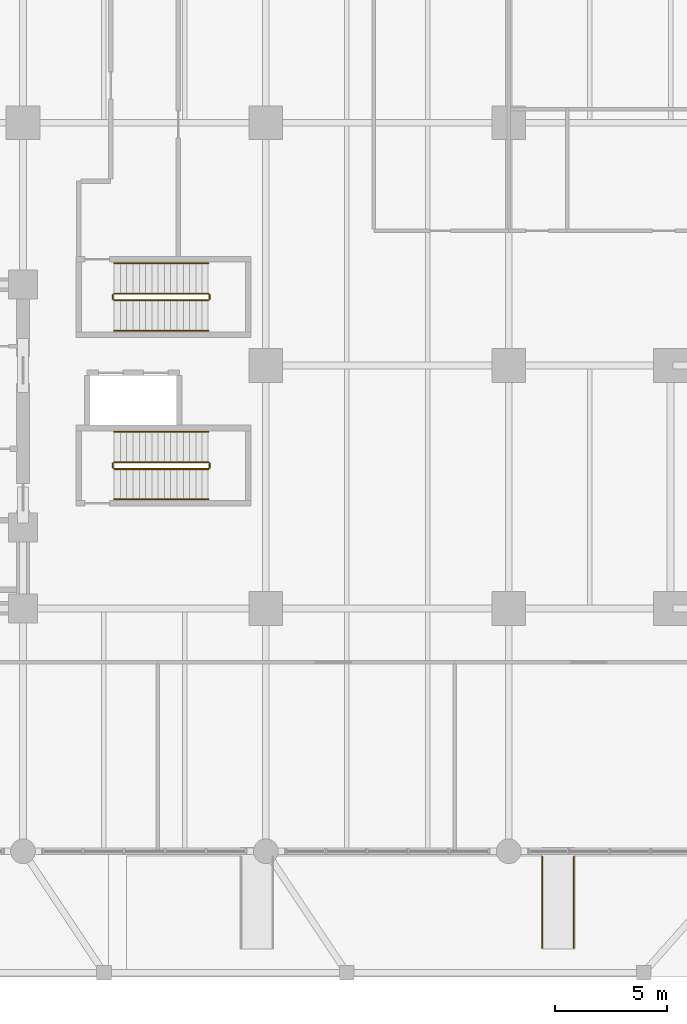
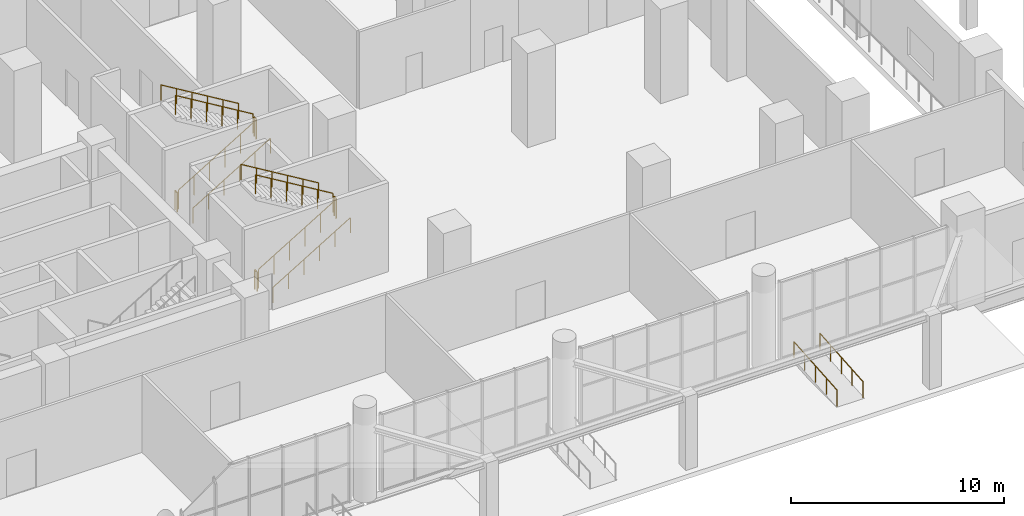
# One storey, part 20 of 22: 14 railings.
"""IFC4 building model written with IfcOpenShell, lengths in metres."""

from ifc_helpers import new_model, si_unit, direction, frame, origin, origin_2d, place, context, subcontext, project, spatial, circle, extrude, material, type_object, element, save


model = new_model("IFC4")

# Units and contexts
model_context = context("Model", 3, precision=1e-05, world=origin(), true_north=direction((0.0, 1.0)))
body_context = subcontext(model_context, "Body", "Model", "MODEL_VIEW")
ifc_project = project(units=[si_unit("LENGTHUNIT", "METRE"), si_unit("AREAUNIT", "SQUARE_METRE"), si_unit("VOLUMEUNIT", "CUBIC_METRE"), si_unit("PLANEANGLEUNIT", "RADIAN"), si_unit("MASSUNIT", "GRAM", prefix="KILO")], contexts=[model_context])

# Site, building, storey
site_placement = place(None, origin())
site = spatial("IfcSite", under=ifc_project, at=site_placement, CompositionType="ELEMENT")
building_placement = place(site_placement, origin())
building = spatial("IfcBuilding", under=site, at=building_placement, Name="Solnavia Interchange Tower", CompositionType="ELEMENT")
storey_placement = place(building_placement, origin())
storey = spatial("IfcBuildingStorey", under=building, at=storey_placement, Name="L00", CompositionType="ELEMENT", Elevation=0.0)

# Railings
ifc_material_1 = material(Name="Brushed Stainless Steel", Category="steel")
railing_type_1 = type_object("IfcRailingType", Name="Railing-RampHandrail-950", PredefinedType="HANDRAIL", material=ifc_material_1)
for number, where, name in (
    (1, (55.5, -4.300048828125, -0.340087890625), "HRL-RMP-L00-A5-L Accessible ramp handrail"),
    (2, (56.89990234375, -4.300048828125, -0.340087890625), "HRL-RMP-L00-A5-R Accessible ramp handrail"),
):
    element("IfcRailing", number, at=place(storey_placement, frame(where)), inside=storey, type_object=railing_type_1, Name=name, PredefinedType="HANDRAIL", context=body_context, shape_type="SweptSolid", body=[
        extrude(circle(Radius=0.02392578125, at=origin_2d()), frame((0.0, 0.0, 0.92578125), z_axis=(0.0, 0.996891817618, 0.078782637464), x_axis=(-1.0, 0.0, 0.0)), (0.0, 0.0, 1.0), 4.062744140625),
        extrude(circle(Radius=0.02099609375, at=origin_2d()), origin(), (0.0, 0.0, 1.0), 0.90185546875),
        extrude(circle(Radius=0.02099609375, at=origin_2d()), frame((0.0, 1.012451171875, 0.080078125)), (0.0, 0.0, 1.0), 0.90185546875),
        extrude(circle(Radius=0.02099609375, at=origin_2d()), frame((0.0, 2.02490234375, 0.16015625)), (0.0, 0.0, 1.0), 0.90185546875),
        extrude(circle(Radius=0.02099609375, at=origin_2d()), frame((0.0, 3.03759765625, 0.239990234375)), (0.0, 0.0, 1.0), 0.90185546875),
        extrude(circle(Radius=0.02099609375, at=origin_2d()), frame((0.0, 4.050048828125, 0.320068359375)), (0.0, 0.0, 1.0), 0.90185546875),
    ])
ifc_material_2 = material(Name="Painted Steel Balustrade", Category="steel")
railing_type_2 = type_object("IfcRailingType", Name="Railing-StairGuard-1100", PredefinedType="GUARDRAIL", material=ifc_material_2)
railing_1_placement = place(storey_placement, frame((36.449951171875, 17.0, 0.168701171875)))
element("IfcRailing", 3, at=railing_1_placement, inside=storey, type_object=railing_type_2, Name="L00 ST-P1 stair guard 1", PredefinedType="GUARDRAIL", context=body_context, shape_type="SweptSolid", body=[
    extrude(circle(Radius=0.02392578125, at=origin_2d()), frame((0.0, 0.0, 1.09619140625), z_axis=(0.856476492594, 0.0, 0.516186030065), x_axis=(0.0, 1.0, 0.0)), (0.0, 0.0, 1.0), 4.90380859375),
    extrude(circle(Radius=0.02099609375, at=origin_2d()), origin(), (0.0, 0.0, 1.0), 1.072021484375),
    extrude(circle(Radius=0.02099609375, at=origin_2d()), frame((0.840087890625, 0.0, 0.50634765625)), (0.0, 0.0, 1.0), 1.072021484375),
    extrude(circle(Radius=0.02099609375, at=origin_2d()), frame((1.679931640625, 0.0, 1.012451171875)), (0.0, 0.0, 1.0), 1.072021484375),
    extrude(circle(Radius=0.02099609375, at=origin_2d()), frame((2.52001953125, 0.0, 1.518798828125)), (0.0, 0.0, 1.0), 1.072021484375),
    extrude(circle(Radius=0.02099609375, at=origin_2d()), frame((3.35986328125, 0.0, 2.02490234375)), (0.0, 0.0, 1.0), 1.072021484375),
    extrude(circle(Radius=0.02099609375, at=origin_2d()), frame((4.199951171875, 0.0, 2.53125)), (0.0, 0.0, 1.0), 1.072021484375),
])
railing_2_placement = place(storey_placement, frame((40.699951171875, 17.050048828125, 2.699951171875)))
element("IfcRailing", 4, at=railing_2_placement, inside=storey, type_object=railing_type_2, Name="L00 ST-P1 stair guard 2", PredefinedType="GUARDRAIL", context=body_context, shape_type="SweptSolid", body=[
    extrude(circle(Radius=0.02392578125, at=origin_2d()), frame((0.0, 0.0, 1.09619140625), z_axis=(0.0, 1.0, 0.0), x_axis=(-1.0, 0.0, 0.0)), (0.0, 0.0, 1.0), 0.199951171875),
    extrude(circle(Radius=0.02099609375, at=origin_2d()), origin(), (0.0, 0.0, 1.0), 1.072021484375),
    extrude(circle(Radius=0.02099609375, at=origin_2d()), frame((0.0, 0.199951171875, 0.0)), (0.0, 0.0, 1.0), 1.072021484375),
])
railing_3_placement = place(storey_placement, frame((40.64990234375, 17.300048828125, 2.86865234375)))
element("IfcRailing", 5, at=railing_3_placement, inside=storey, type_object=railing_type_2, Name="L00 ST-P1 stair guard 3", PredefinedType="GUARDRAIL", context=body_context, shape_type="SweptSolid", body=[
    extrude(circle(Radius=0.02392578125, at=origin_2d()), frame((0.0, 0.0, 1.09619140625), z_axis=(-0.856476492594, 0.0, 0.516186030065), x_axis=(0.0, -1.0, 0.0)), (0.0, 0.0, 1.0), 4.90380859375),
    extrude(circle(Radius=0.02099609375, at=origin_2d()), origin(), (0.0, 0.0, 1.0), 1.072021484375),
    extrude(circle(Radius=0.02099609375, at=origin_2d()), frame((-0.840087890625, 0.0, 0.50634765625)), (0.0, 0.0, 1.0), 1.072021484375),
    extrude(circle(Radius=0.02099609375, at=origin_2d()), frame((-1.679931640625, 0.0, 1.012451171875)), (0.0, 0.0, 1.0), 1.072021484375),
    extrude(circle(Radius=0.02099609375, at=origin_2d()), frame((-2.52001953125, 0.0, 1.518798828125)), (0.0, 0.0, 1.0), 1.072021484375),
    extrude(circle(Radius=0.02099609375, at=origin_2d()), frame((-3.35986328125, 0.0, 2.02490234375)), (0.0, 0.0, 1.0), 1.072021484375),
    extrude(circle(Radius=0.02099609375, at=origin_2d()), frame((-4.199951171875, 0.0, 2.53125)), (0.0, 0.0, 1.0), 1.072021484375),
])
railing_4_placement = place(storey_placement, frame((36.39990234375, 17.050048828125, 0.0)))
element("IfcRailing", 6, at=railing_4_placement, inside=storey, type_object=railing_type_2, Name="L00 ST-P1 stair guard 4", PredefinedType="GUARDRAIL", context=body_context, shape_type="SweptSolid", body=[
    extrude(circle(Radius=0.02392578125, at=origin_2d()), frame((0.0, 0.0, 1.09619140625), z_axis=(0.0, 1.0, 0.0), x_axis=(-1.0, 0.0, 0.0)), (0.0, 0.0, 1.0), 0.199951171875),
    extrude(circle(Radius=0.02099609375, at=origin_2d()), origin(), (0.0, 0.0, 1.0), 1.072021484375),
    extrude(circle(Radius=0.02099609375, at=origin_2d()), frame((0.0, 0.199951171875, 0.0)), (0.0, 0.0, 1.0), 1.072021484375),
])
railing_5_placement = place(storey_placement, frame((36.449951171875, 24.5, 0.168701171875)))
element("IfcRailing", 7, at=railing_5_placement, inside=storey, type_object=railing_type_2, Name="L00 ST-P2 stair guard 1", PredefinedType="GUARDRAIL", context=body_context, shape_type="SweptSolid", body=[
    extrude(circle(Radius=0.02392578125, at=origin_2d()), frame((0.0, 0.0, 1.09619140625), z_axis=(0.856476492594, 0.0, 0.516186030065), x_axis=(0.0, 1.0, 0.0)), (0.0, 0.0, 1.0), 4.90380859375),
    extrude(circle(Radius=0.02099609375, at=origin_2d()), origin(), (0.0, 0.0, 1.0), 1.072021484375),
    extrude(circle(Radius=0.02099609375, at=origin_2d()), frame((0.840087890625, 0.0, 0.50634765625)), (0.0, 0.0, 1.0), 1.072021484375),
    extrude(circle(Radius=0.02099609375, at=origin_2d()), frame((1.679931640625, 0.0, 1.012451171875)), (0.0, 0.0, 1.0), 1.072021484375),
    extrude(circle(Radius=0.02099609375, at=origin_2d()), frame((2.52001953125, 0.0, 1.518798828125)), (0.0, 0.0, 1.0), 1.072021484375),
    extrude(circle(Radius=0.02099609375, at=origin_2d()), frame((3.35986328125, 0.0, 2.02490234375)), (0.0, 0.0, 1.0), 1.072021484375),
    extrude(circle(Radius=0.02099609375, at=origin_2d()), frame((4.199951171875, 0.0, 2.53125)), (0.0, 0.0, 1.0), 1.072021484375),
])
railing_6_placement = place(storey_placement, frame((40.699951171875, 24.550048828125, 2.699951171875)))
element("IfcRailing", 8, at=railing_6_placement, inside=storey, type_object=railing_type_2, Name="L00 ST-P2 stair guard 2", PredefinedType="GUARDRAIL", context=body_context, shape_type="SweptSolid", body=[
    extrude(circle(Radius=0.02392578125, at=origin_2d()), frame((0.0, 0.0, 1.09619140625), z_axis=(0.0, 1.0, 0.0), x_axis=(-1.0, 0.0, 0.0)), (0.0, 0.0, 1.0), 0.199951171875),
    extrude(circle(Radius=0.02099609375, at=origin_2d()), origin(), (0.0, 0.0, 1.0), 1.072021484375),
    extrude(circle(Radius=0.02099609375, at=origin_2d()), frame((0.0, 0.199951171875, 0.0)), (0.0, 0.0, 1.0), 1.072021484375),
])
railing_7_placement = place(storey_placement, frame((40.64990234375, 24.800048828125, 2.86865234375)))
element("IfcRailing", 9, at=railing_7_placement, inside=storey, type_object=railing_type_2, Name="L00 ST-P2 stair guard 3", PredefinedType="GUARDRAIL", context=body_context, shape_type="SweptSolid", body=[
    extrude(circle(Radius=0.02392578125, at=origin_2d()), frame((0.0, 0.0, 1.09619140625), z_axis=(-0.856476492594, 0.0, 0.516186030065), x_axis=(0.0, -1.0, 0.0)), (0.0, 0.0, 1.0), 4.90380859375),
    extrude(circle(Radius=0.02099609375, at=origin_2d()), origin(), (0.0, 0.0, 1.0), 1.072021484375),
    extrude(circle(Radius=0.02099609375, at=origin_2d()), frame((-0.840087890625, 0.0, 0.50634765625)), (0.0, 0.0, 1.0), 1.072021484375),
    extrude(circle(Radius=0.02099609375, at=origin_2d()), frame((-1.679931640625, 0.0, 1.012451171875)), (0.0, 0.0, 1.0), 1.072021484375),
    extrude(circle(Radius=0.02099609375, at=origin_2d()), frame((-2.52001953125, 0.0, 1.518798828125)), (0.0, 0.0, 1.0), 1.072021484375),
    extrude(circle(Radius=0.02099609375, at=origin_2d()), frame((-3.35986328125, 0.0, 2.02490234375)), (0.0, 0.0, 1.0), 1.072021484375),
    extrude(circle(Radius=0.02099609375, at=origin_2d()), frame((-4.199951171875, 0.0, 2.53125)), (0.0, 0.0, 1.0), 1.072021484375),
])
railing_8_placement = place(storey_placement, frame((36.39990234375, 24.550048828125, 0.0)))
element("IfcRailing", 10, at=railing_8_placement, inside=storey, type_object=railing_type_2, Name="L00 ST-P2 stair guard 4", PredefinedType="GUARDRAIL", context=body_context, shape_type="SweptSolid", body=[
    extrude(circle(Radius=0.02392578125, at=origin_2d()), frame((0.0, 0.0, 1.09619140625), z_axis=(0.0, 1.0, 0.0), x_axis=(-1.0, 0.0, 0.0)), (0.0, 0.0, 1.0), 0.199951171875),
    extrude(circle(Radius=0.02099609375, at=origin_2d()), origin(), (0.0, 0.0, 1.0), 1.072021484375),
    extrude(circle(Radius=0.02099609375, at=origin_2d()), frame((0.0, 0.199951171875, 0.0)), (0.0, 0.0, 1.0), 1.072021484375),
])
railing_type_3 = type_object("IfcRailingType", Name="Railing-StairHandrail-900", PredefinedType="HANDRAIL", material=ifc_material_1)
railing_9_placement = place(storey_placement, frame((36.449951171875, 15.64990234375, 0.168701171875)))
element("IfcRailing", 11, at=railing_9_placement, inside=storey, type_object=railing_type_3, Name="L00 ST-P1 stair handrail 1", PredefinedType="HANDRAIL", context=body_context, shape_type="SweptSolid", body=[
    extrude(circle(Radius=0.02392578125, at=origin_2d()), frame((0.0, 0.0, 0.8759765625), z_axis=(0.856476492594, 0.0, 0.516186030065), x_axis=(0.0, 1.0, 0.0)), (0.0, 0.0, 1.0), 4.90380859375),
    extrude(circle(Radius=0.02099609375, at=origin_2d()), origin(), (0.0, 0.0, 1.0), 0.851806640625),
    extrude(circle(Radius=0.02099609375, at=origin_2d()), frame((0.840087890625, 0.0, 0.50634765625)), (0.0, 0.0, 1.0), 0.851806640625),
    extrude(circle(Radius=0.02099609375, at=origin_2d()), frame((1.679931640625, 0.0, 1.012451171875)), (0.0, 0.0, 1.0), 0.851806640625),
    extrude(circle(Radius=0.02099609375, at=origin_2d()), frame((2.52001953125, 0.0, 1.518798828125)), (0.0, 0.0, 1.0), 0.851806640625),
    extrude(circle(Radius=0.02099609375, at=origin_2d()), frame((3.35986328125, 0.0, 2.02490234375)), (0.0, 0.0, 1.0), 0.851806640625),
    extrude(circle(Radius=0.02099609375, at=origin_2d()), frame((4.199951171875, 0.0, 2.53125)), (0.0, 0.0, 1.0), 0.851806640625),
])
railing_10_placement = place(storey_placement, frame((40.64990234375, 18.64990234375, 2.86865234375)))
element("IfcRailing", 12, at=railing_10_placement, inside=storey, type_object=railing_type_3, Name="L00 ST-P1 stair handrail 2", PredefinedType="HANDRAIL", context=body_context, shape_type="SweptSolid", body=[
    extrude(circle(Radius=0.02392578125, at=origin_2d()), frame((0.0, 0.0, 0.8759765625), z_axis=(-0.856476492594, 0.0, 0.516186030065), x_axis=(0.0, -1.0, 0.0)), (0.0, 0.0, 1.0), 4.90380859375),
    extrude(circle(Radius=0.02099609375, at=origin_2d()), origin(), (0.0, 0.0, 1.0), 0.851806640625),
    extrude(circle(Radius=0.02099609375, at=origin_2d()), frame((-0.840087890625, 0.0, 0.50634765625)), (0.0, 0.0, 1.0), 0.851806640625),
    extrude(circle(Radius=0.02099609375, at=origin_2d()), frame((-1.679931640625, 0.0, 1.012451171875)), (0.0, 0.0, 1.0), 0.851806640625),
    extrude(circle(Radius=0.02099609375, at=origin_2d()), frame((-2.52001953125, 0.0, 1.518798828125)), (0.0, 0.0, 1.0), 0.851806640625),
    extrude(circle(Radius=0.02099609375, at=origin_2d()), frame((-3.35986328125, 0.0, 2.02490234375)), (0.0, 0.0, 1.0), 0.851806640625),
    extrude(circle(Radius=0.02099609375, at=origin_2d()), frame((-4.199951171875, 0.0, 2.53125)), (0.0, 0.0, 1.0), 0.851806640625),
])
railing_11_placement = place(storey_placement, frame((36.449951171875, 23.14990234375, 0.168701171875)))
element("IfcRailing", 13, at=railing_11_placement, inside=storey, type_object=railing_type_3, Name="L00 ST-P2 stair handrail 1", PredefinedType="HANDRAIL", context=body_context, shape_type="SweptSolid", body=[
    extrude(circle(Radius=0.02392578125, at=origin_2d()), frame((0.0, 0.0, 0.8759765625), z_axis=(0.856476492594, 0.0, 0.516186030065), x_axis=(0.0, 1.0, 0.0)), (0.0, 0.0, 1.0), 4.90380859375),
    extrude(circle(Radius=0.02099609375, at=origin_2d()), origin(), (0.0, 0.0, 1.0), 0.851806640625),
    extrude(circle(Radius=0.02099609375, at=origin_2d()), frame((0.840087890625, 0.0, 0.50634765625)), (0.0, 0.0, 1.0), 0.851806640625),
    extrude(circle(Radius=0.02099609375, at=origin_2d()), frame((1.679931640625, 0.0, 1.012451171875)), (0.0, 0.0, 1.0), 0.851806640625),
    extrude(circle(Radius=0.02099609375, at=origin_2d()), frame((2.52001953125, 0.0, 1.518798828125)), (0.0, 0.0, 1.0), 0.851806640625),
    extrude(circle(Radius=0.02099609375, at=origin_2d()), frame((3.35986328125, 0.0, 2.02490234375)), (0.0, 0.0, 1.0), 0.851806640625),
    extrude(circle(Radius=0.02099609375, at=origin_2d()), frame((4.199951171875, 0.0, 2.53125)), (0.0, 0.0, 1.0), 0.851806640625),
])
railing_12_placement = place(storey_placement, frame((40.64990234375, 26.14990234375, 2.86865234375)))
element("IfcRailing", 14, at=railing_12_placement, inside=storey, type_object=railing_type_3, Name="L00 ST-P2 stair handrail 2", PredefinedType="HANDRAIL", context=body_context, shape_type="SweptSolid", body=[
    extrude(circle(Radius=0.02392578125, at=origin_2d()), frame((0.0, 0.0, 0.8759765625), z_axis=(-0.856476492594, 0.0, 0.516186030065), x_axis=(0.0, -1.0, 0.0)), (0.0, 0.0, 1.0), 4.90380859375),
    extrude(circle(Radius=0.02099609375, at=origin_2d()), origin(), (0.0, 0.0, 1.0), 0.851806640625),
    extrude(circle(Radius=0.02099609375, at=origin_2d()), frame((-0.840087890625, 0.0, 0.50634765625)), (0.0, 0.0, 1.0), 0.851806640625),
    extrude(circle(Radius=0.02099609375, at=origin_2d()), frame((-1.679931640625, 0.0, 1.012451171875)), (0.0, 0.0, 1.0), 0.851806640625),
    extrude(circle(Radius=0.02099609375, at=origin_2d()), frame((-2.52001953125, 0.0, 1.518798828125)), (0.0, 0.0, 1.0), 0.851806640625),
    extrude(circle(Radius=0.02099609375, at=origin_2d()), frame((-3.35986328125, 0.0, 2.02490234375)), (0.0, 0.0, 1.0), 0.851806640625),
    extrude(circle(Radius=0.02099609375, at=origin_2d()), frame((-4.199951171875, 0.0, 2.53125)), (0.0, 0.0, 1.0), 0.851806640625),
])

save(model, "model.ifc")
